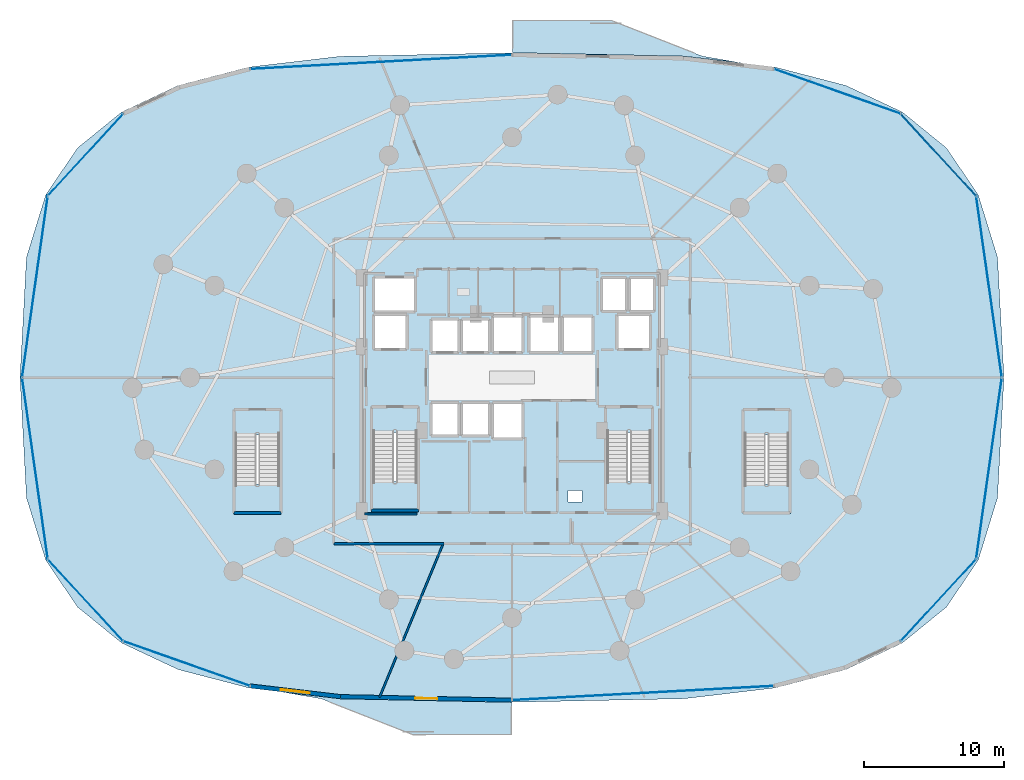
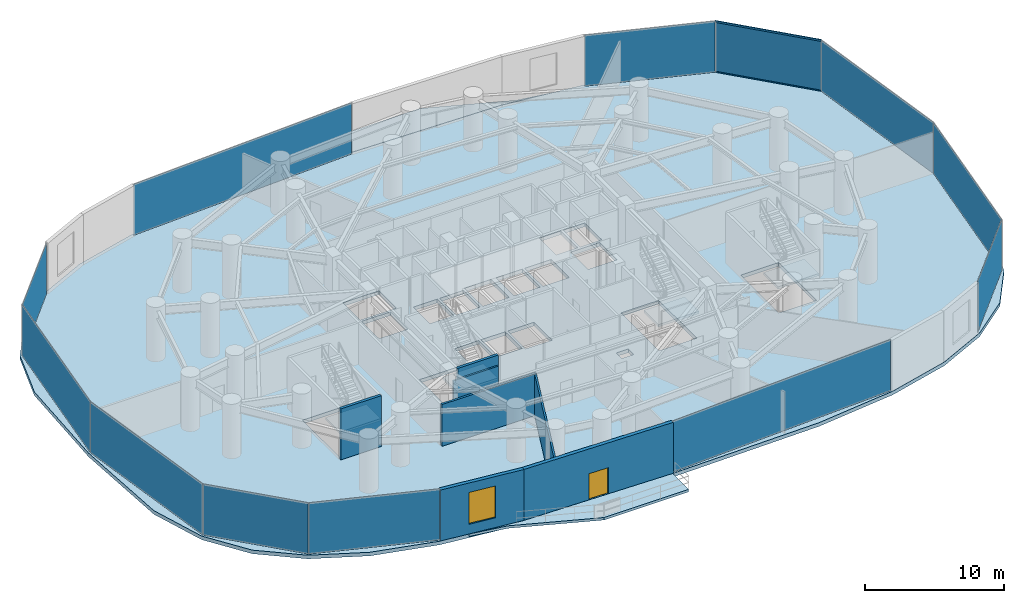
# One storey, part 23 of 30: 12 plates, 7 slabs, 7 walls, 2 members, 1 door, 1 window, 2 openings, 8 elements without a shape of their own.
"""IFC4 building model written with IfcOpenShell, lengths in metres."""

from ifc_helpers import new_model, si_unit, direction, frame, frame_2d, origin, origin_2d, place, context, subcontext, project, spatial, polyline, rectangle, hollow_rectangle, outline, extrude, material, layer, layer_set, material_profile, profile_set, type_object, element, fill, aggregate, save


model = new_model("IFC4")

# Units and contexts
model_context = context("Model", 3, precision=1e-05, world=origin(), true_north=direction((0.0, 1.0)))
body_context = subcontext(model_context, "Body", "Model", "MODEL_VIEW")
ifc_project = project(units=[si_unit("LENGTHUNIT", "METRE"), si_unit("AREAUNIT", "SQUARE_METRE"), si_unit("VOLUMEUNIT", "CUBIC_METRE"), si_unit("PLANEANGLEUNIT", "RADIAN"), si_unit("MASSUNIT", "GRAM", prefix="KILO")], contexts=[model_context])

# Site, building, storey
site_placement = place(None, origin())
site = spatial("IfcSite", under=ifc_project, at=site_placement, CompositionType="ELEMENT")
building_placement = place(site_placement, origin())
building = spatial("IfcBuilding", under=site, at=building_placement, Name="Vorneva Point Tower", CompositionType="ELEMENT")
storey_placement = place(building_placement, frame((0.0, 0.0, 9.60009765625)))
storey = spatial("IfcBuildingStorey", under=building, at=storey_placement, Name="L02", CompositionType="ELEMENT", Elevation=9.60009765625)

# Curtain wall, members, plates
ifc_material_1 = material(Name="Pale anodised aluminium", Category="aluminium")
curtain_wall_type = type_object("IfcCurtainWallType", Name="CW-POD-SYS", PredefinedType="NOTDEFINED", material=ifc_material_1)
curtain_wall_1_placement = place(storey_placement, origin())
curtain_wall_1 = element("IfcCurtainWall", 1, at=curtain_wall_1_placement, inside=storey, type_object=curtain_wall_type, Name="L02 Unitised Curtain Wall CW-L02-R01", PredefinedType="NOTDEFINED")
ifc_material_profile = material_profile(ifc_material_1, hollow_rectangle(XDim=0.074951171875, YDim=0.14990234375, WallThickness=0.00390625, at=origin_2d()), Name="AL-TRN 150x75x4")
ifc_profile_set = profile_set([ifc_material_profile], Name="Pale anodised aluminium")
member_type = type_object("IfcMemberType", Name="CW-TRN-150", PredefinedType="USERDEFINED", material=ifc_profile_set)
member_1_placement = place(storey_placement, frame((71.230712890625, 39.001708984375, 0.02001953125), z_axis=(-0.67696055084, 0.736019301789, 0.0), x_axis=(-0.736019301789, -0.67696055084, 0.0)))
member_1 = element("IfcMember", 2, at=member_1_placement, type_object=member_type, Name="CW-L02-R01 Transom 04.1", ObjectType="TRANSOM", PredefinedType="USERDEFINED", context=body_context, shape_type="SweptSolid", body=[
    extrude(hollow_rectangle(XDim=0.074951171875, YDim=0.14990234375, WallThickness=0.00390625, at=origin_2d()), origin(), (0.0, 0.0, 1.0), 7.99072265625),
])
member_2_placement = place(storey_placement, frame((71.230712890625, 39.001708984375, 4.4599609375), z_axis=(-0.67696055084, 0.736019301789, 0.0), x_axis=(-0.736019301789, -0.67696055084, 0.0)))
member_2 = element("IfcMember", 3, at=member_2_placement, type_object=member_type, Name="CW-L02-R01 Transom 04.2", ObjectType="TRANSOM", PredefinedType="USERDEFINED", context=body_context, shape_type="SweptSolid", body=[
    extrude(hollow_rectangle(XDim=0.074951171875, YDim=0.14990234375, WallThickness=0.00390625, at=origin_2d()), origin(), (0.0, 0.0, 1.0), 7.99072265625),
])
ifc_material_2 = material(Name="Double low-e laminated glass IGU", Category="glass")
ifc_layer_1 = layer(ifc_material_2, 0.035888671875)
ifc_layer_set_1 = layer_set([ifc_layer_1], Name="Double low-e laminated glass IGU")
plate_type = type_object("IfcPlateType", Name="CW-PNL-VIS", PredefinedType="CURTAIN_PANEL", material=ifc_layer_set_1)
plate_1_placement = place(storey_placement, frame((68.52587890625, 10.0576171875, -0.02001953125), z_axis=(0.0, 0.0, 1.0), x_axis=(0.676965895855, 0.736014385626, 0.0)))
plate_1 = element("IfcPlate", 4, at=plate_1_placement, type_object=plate_type, Name="CW-L02-R01 Glazed Panel 01", PredefinedType="CURTAIN_PANEL", context=body_context, shape_type="SweptSolid", body=[
    extrude(rectangle(XDim=7.94091796875, YDim=0.035888671875, at=origin_2d()), origin(), (0.0, 0.0, 1.0), 4.52001953125),
])
plate_2_placement = place(storey_placement, frame((72.1494140625, 19.499267578125, -0.02001953125), z_axis=(0.0, 0.0, 1.0), x_axis=(0.139950812678, 0.990158457031, 0.0)))
plate_2 = element("IfcPlate", 5, at=plate_2_placement, type_object=plate_type, Name="CW-L02-R01 Glazed Panel 02", PredefinedType="CURTAIN_PANEL", context=body_context, shape_type="SweptSolid", body=[
    extrude(rectangle(XDim=13.080810546875, YDim=0.035888671875, at=origin_2d()), origin(), (0.0, 0.0, 1.0), 4.52001953125),
])
plate_3_placement = place(storey_placement, frame((72.1494140625, 32.500732421875, -0.02001953125), z_axis=(0.0, 0.0, 1.0), x_axis=(-0.139950812678, 0.990158457031, 0.0)))
plate_3 = element("IfcPlate", 6, at=plate_3_placement, type_object=plate_type, Name="CW-L02-R01 Glazed Panel 03", PredefinedType="CURTAIN_PANEL", context=body_context, shape_type="SweptSolid", body=[
    extrude(rectangle(XDim=13.080810546875, YDim=0.035888671875, at=origin_2d()), origin(), (0.0, 0.0, 1.0), 4.52001953125),
])
plate_4_placement = place(storey_placement, frame((68.52587890625, 41.9423828125, -0.02001953125), z_axis=(0.0, 0.0, 1.0), x_axis=(-0.676965895855, 0.736014385626, 0.0)))
plate_4 = element("IfcPlate", 7, at=plate_4_placement, type_object=plate_type, Name="CW-L02-R01 Glazed Panel 04", PredefinedType="CURTAIN_PANEL", context=body_context, shape_type="SweptSolid", body=[
    extrude(rectangle(XDim=7.94091796875, YDim=0.035888671875, at=origin_2d()), origin(), (0.0, 0.0, 1.0), 4.52001953125),
])
plate_5_placement = place(storey_placement, frame((61.28759765625, 46.482177734375, -0.02001953125), z_axis=(0.0, 0.0, 1.0), x_axis=(-0.943060220773, 0.332622037749, 0.0)))
plate_5 = element("IfcPlate", 8, at=plate_5_placement, type_object=plate_type, Name="CW-L02-R01 Glazed Panel 05", PredefinedType="CURTAIN_PANEL", context=body_context, shape_type="SweptSolid", body=[
    extrude(rectangle(XDim=9.564697265625, YDim=0.035888671875, at=origin_2d()), origin(), (0.0, 0.0, 1.0), 4.52001953125),
])
aggregate(curtain_wall_1, [plate_1, plate_2, plate_3, member_1, member_2, plate_4, plate_5])

# Curtain wall, plate
curtain_wall_2_placement = place(storey_placement, origin())
curtain_wall_2 = element("IfcCurtainWall", 9, at=curtain_wall_2_placement, inside=storey, type_object=curtain_wall_type, Name="L02 Unitised Curtain Wall CW-L02-R02", PredefinedType="NOTDEFINED")
plate_6_placement = place(storey_placement, frame((28.623046875, 48.589599609375, -0.02001953125), z_axis=(0.0, 0.0, 1.0), x_axis=(-0.998531947257, -0.054165951542, 0.0)))
plate_6 = element("IfcPlate", 10, at=plate_6_placement, type_object=plate_type, Name="CW-L02-R02 Glazed Panel 01", PredefinedType="CURTAIN_PANEL", context=body_context, shape_type="SweptSolid", body=[
    extrude(rectangle(XDim=18.7314453125, YDim=0.035888671875, at=origin_2d()), origin(), (0.0, 0.0, 1.0), 4.52001953125),
])
aggregate(curtain_wall_2, [plate_6])

# Curtain wall, plates
curtain_wall_3_placement = place(storey_placement, origin())
curtain_wall_3 = element("IfcCurtainWall", 11, at=curtain_wall_3_placement, inside=storey, type_object=curtain_wall_type, Name="L02 Unitised Curtain Wall CW-L02-R03", PredefinedType="NOTDEFINED")
plate_7_placement = place(storey_placement, frame((7.47412109375, 41.9423828125, -0.02001953125), z_axis=(0.0, 0.0, 1.0), x_axis=(-0.676965895855, -0.736014385626, 0.0)))
plate_7 = element("IfcPlate", 12, at=plate_7_placement, type_object=plate_type, Name="CW-L02-R03 Glazed Panel 01", PredefinedType="CURTAIN_PANEL", context=body_context, shape_type="SweptSolid", body=[
    extrude(rectangle(XDim=7.94091796875, YDim=0.035888671875, at=origin_2d()), origin(), (0.0, 0.0, 1.0), 4.52001953125),
])
plate_8_placement = place(storey_placement, frame((3.8505859375, 32.500732421875, -0.02001953125), z_axis=(0.0, 0.0, 1.0), x_axis=(-0.139933531132, -0.990160899483, 0.0)))
plate_8 = element("IfcPlate", 13, at=plate_8_placement, type_object=plate_type, Name="CW-L02-R03 Glazed Panel 02", PredefinedType="CURTAIN_PANEL", context=body_context, shape_type="SweptSolid", body=[
    extrude(rectangle(XDim=13.080810546875, YDim=0.035888671875, at=origin_2d()), origin(), (0.0, 0.0, 1.0), 4.52001953125),
])
plate_9_placement = place(storey_placement, frame((3.8505859375, 19.499267578125, -0.02001953125), z_axis=(0.0, 0.0, 1.0), x_axis=(0.139933531132, -0.990160899483, 0.0)))
plate_9 = element("IfcPlate", 14, at=plate_9_placement, type_object=plate_type, Name="CW-L02-R03 Glazed Panel 03", PredefinedType="CURTAIN_PANEL", context=body_context, shape_type="SweptSolid", body=[
    extrude(rectangle(XDim=13.080810546875, YDim=0.035888671875, at=origin_2d()), origin(), (0.0, 0.0, 1.0), 4.52001953125),
])
plate_10_placement = place(storey_placement, frame((7.47412109375, 10.0576171875, -0.02001953125), z_axis=(0.0, 0.0, 1.0), x_axis=(0.676965895855, -0.736014385626, 0.0)))
plate_10 = element("IfcPlate", 15, at=plate_10_placement, type_object=plate_type, Name="CW-L02-R03 Glazed Panel 04", PredefinedType="CURTAIN_PANEL", context=body_context, shape_type="SweptSolid", body=[
    extrude(rectangle(XDim=7.94091796875, YDim=0.035888671875, at=origin_2d()), origin(), (0.0, 0.0, 1.0), 4.52001953125),
])
plate_11_placement = place(storey_placement, frame((14.71240234375, 5.517822265625, -0.02001953125), z_axis=(0.0, 0.0, 1.0), x_axis=(0.943060220773, -0.332622037749, 0.0)))
plate_11 = element("IfcPlate", 16, at=plate_11_placement, type_object=plate_type, Name="CW-L02-R03 Glazed Panel 05", PredefinedType="CURTAIN_PANEL", context=body_context, shape_type="SweptSolid", body=[
    extrude(rectangle(XDim=9.564697265625, YDim=0.035888671875, at=origin_2d()), origin(), (0.0, 0.0, 1.0), 4.52001953125),
])
aggregate(curtain_wall_3, [plate_7, plate_8, plate_9, plate_10, plate_11])

# Curtain wall, plate
curtain_wall_4_placement = place(storey_placement, origin())
curtain_wall_4 = element("IfcCurtainWall", 17, at=curtain_wall_4_placement, inside=storey, type_object=curtain_wall_type, Name="L02 Unitised Curtain Wall CW-L02-R04", PredefinedType="NOTDEFINED")
plate_12_placement = place(storey_placement, frame((47.376953125, 3.410400390625, -0.02001953125), z_axis=(0.0, 0.0, 1.0), x_axis=(0.998531947257, 0.054165951542, 0.0)))
plate_12 = element("IfcPlate", 18, at=plate_12_placement, type_object=plate_type, Name="CW-L02-R04 Glazed Panel 01", PredefinedType="CURTAIN_PANEL", context=body_context, shape_type="SweptSolid", body=[
    extrude(rectangle(XDim=18.7314453125, YDim=0.035888671875, at=origin_2d()), origin(), (0.0, 0.0, 1.0), 4.52001953125),
])
aggregate(curtain_wall_4, [plate_12])

# Slabs
ifc_material_3 = material(Name="Concrete B50 (C40/50)", Category="concrete")
ifc_layer_2 = layer(ifc_material_3, 0.219970703125)
ifc_layer_set_2 = layer_set([ifc_layer_2], Name="Concrete B50 (C40/50)")
slab_type_1 = type_object("IfcSlabType", Name="SLB-BAL-220", PredefinedType="FLOOR", material=ifc_layer_set_2)
slab_1_placement = place(storey_placement, frame((0.0, 0.0, -0.22021484375)))
element("IfcSlab", 19, at=slab_1_placement, inside=storey, type_object=slab_type_1, Name="L02 Cantilevered Wave Balcony NE", PredefinedType="FLOOR", context=body_context, shape_type="SweptSolid", body=[
    extrude(outline(polyline([(38.050048828125, 51.550048828125), (38.050048828125, 49.2490234375), (50.32177734375, 48.996337890625), (50.322021484375, 48.996337890625), (54.571533203125, 48.493896484375), (51.6181640625, 49.006591796875), (45.097412109375, 51.5693359375), (38.050048828125, 51.550048828125)])), origin(), (0.0, 0.0, 1.0), 0.22021484375),
])
slab_2_placement = place(storey_placement, frame((0.0, 0.0, -0.22021484375)))
element("IfcSlab", 20, at=slab_2_placement, inside=storey, type_object=slab_type_1, Name="L02 Cantilevered Wave Balcony SW", PredefinedType="FLOOR", context=body_context, shape_type="SweptSolid", body=[
    extrude(outline(polyline([(37.949951171875, 0.449951171875), (37.949951171875, 2.7509765625), (25.67822265625, 3.003662109375), (25.677978515625, 3.003662109375), (21.428466796875, 3.506103515625), (24.3818359375, 2.993408203125), (30.902587890625, 0.4306640625), (37.949951171875, 0.449951171875)])), origin(), (0.0, 0.0, 1.0), 0.22021484375),
])

# Stair, slab
stair_type = type_object("IfcStairType", Name="ST-DOG-1500", PredefinedType="HALF_TURN_STAIR", material=ifc_material_3)
stair_1_placement = place(storey_placement, origin())
stair_1 = element("IfcStair", 21, at=stair_1_placement, inside=storey, type_object=stair_type, Name="L02 ST1", PredefinedType="HALF_TURN_STAIR")
ifc_layer_3 = layer(ifc_material_3, 0.199951171875)
ifc_layer_set_3 = layer_set([ifc_layer_3], Name="Concrete B50 (C40/50)")
slab_type_2 = type_object("IfcSlabType", Name="SLB-LND-200", PredefinedType="LANDING", material=ifc_layer_set_3)
slab_3_placement = place(storey_placement, frame((0.0, 0.0, 2.199951171875)))
slab_3 = element("IfcSlab", 22, at=slab_3_placement, type_object=slab_type_2, Name="ST1 landing 1", PredefinedType="LANDING", context=body_context, shape_type="SweptSolid", body=[
    extrude(outline(polyline([(27.929931640625, 16.47998046875), (31.320068359375, 16.47998046875), (31.320068359375, 18.570068359375), (27.929931640625, 18.570068359375), (27.929931640625, 16.47998046875)])), origin(), (0.0, 0.0, 1.0), 0.199951171875),
])
aggregate(stair_1, [slab_3])

stair_2_placement = place(storey_placement, origin())
stair_2 = element("IfcStair", 23, at=stair_2_placement, inside=storey, type_object=stair_type, Name="L02 ST2", PredefinedType="HALF_TURN_STAIR")
slab_4_placement = place(storey_placement, frame((0.0, 0.0, 2.199951171875)))
slab_4 = element("IfcSlab", 24, at=slab_4_placement, type_object=slab_type_2, Name="ST2 landing 1", PredefinedType="LANDING", context=body_context, shape_type="SweptSolid", body=[
    extrude(outline(polyline([(44.679931640625, 16.47998046875), (48.070068359375, 16.47998046875), (48.070068359375, 18.570068359375), (44.679931640625, 18.570068359375), (44.679931640625, 16.47998046875)])), origin(), (0.0, 0.0, 1.0), 0.199951171875),
])
aggregate(stair_2, [slab_4])

stair_3_placement = place(storey_placement, origin())
stair_3 = element("IfcStair", 25, at=stair_3_placement, inside=storey, type_object=stair_type, Name="L02 ST3", PredefinedType="HALF_TURN_STAIR")
slab_5_placement = place(storey_placement, frame((0.0, 0.0, 2.199951171875)))
slab_5 = element("IfcSlab", 26, at=slab_5_placement, type_object=slab_type_2, Name="ST3 landing 1", PredefinedType="LANDING", context=body_context, shape_type="SweptSolid", body=[
    extrude(outline(polyline([(18.080078125, 16.280029296875), (21.469970703125, 16.280029296875), (21.469970703125, 18.3701171875), (18.080078125, 18.3701171875), (18.080078125, 16.280029296875)])), origin(), (0.0, 0.0, 1.0), 0.199951171875),
])
aggregate(stair_3, [slab_5])

stair_4_placement = place(storey_placement, origin())
stair_4 = element("IfcStair", 27, at=stair_4_placement, inside=storey, type_object=stair_type, Name="L02 ST4", PredefinedType="HALF_TURN_STAIR")
slab_6_placement = place(storey_placement, frame((0.0, 0.0, 2.199951171875)))
slab_6 = element("IfcSlab", 28, at=slab_6_placement, type_object=slab_type_2, Name="ST4 landing 1", PredefinedType="LANDING", context=body_context, shape_type="SweptSolid", body=[
    extrude(outline(polyline([(54.530029296875, 16.280029296875), (57.919921875, 16.280029296875), (57.919921875, 18.3701171875), (54.530029296875, 18.3701171875), (54.530029296875, 16.280029296875)])), origin(), (0.0, 0.0, 1.0), 0.199951171875),
])
aggregate(stair_4, [slab_6])

# Slab
ifc_layer_4 = layer(ifc_material_3, 0.320068359375)
ifc_layer_set_4 = layer_set([ifc_layer_4], Name="Concrete B50 (C40/50)")
slab_type_3 = type_object("IfcSlabType", Name="SLB-POD-320", PredefinedType="FLOOR", material=ifc_layer_set_4)
slab_7_placement = place(storey_placement, frame((0.0, 0.0, -0.320068359375)))
element("IfcSlab", 29, at=slab_7_placement, inside=storey, type_object=slab_type_3, Name="L02 Structural Floor Plate", PredefinedType="FLOOR", context=body_context, shape_type="SweptSolid", body=[
    extrude(outline(polyline([(73.220458984375, 26.0), (72.7568359375, 34.615478515625), (71.375, 39.0849609375), (69.09716796875, 42.4384765625), (65.94189453125, 45.00390625), (61.89404296875, 46.908203125), (56.835205078125, 48.222412109375), (50.321533203125, 48.992431640625), (38.0, 49.24609375), (25.678466796875, 48.992431640625), (19.164794921875, 48.222412109375), (14.10595703125, 46.908203125), (10.05810546875, 45.00390625), (6.90283203125, 42.4384765625), (4.625, 39.0849609375), (3.2431640625, 34.615478515625), (2.779541015625, 26.0), (3.2431640625, 17.384521484375), (4.625, 12.9150390625), (6.90283203125, 9.5615234375), (10.05810546875, 6.99609375), (14.10595703125, 5.091796875), (19.164794921875, 3.777587890625), (25.678466796875, 3.007568359375), (38.0, 2.75390625), (50.321533203125, 3.007568359375), (56.835205078125, 3.777587890625), (61.89404296875, 5.091796875), (65.94189453125, 6.99609375), (69.09716796875, 9.5615234375), (71.375, 12.9150390625), (72.7568359375, 17.384521484375), (73.220458984375, 26.0)]), holes=[polyline([(32.199951171875, 27.800048828125), (34.199951171875, 27.800048828125), (34.199951171875, 30.199951171875), (32.199951171875, 30.199951171875), (32.199951171875, 27.800048828125)]), polyline([(34.39990234375, 27.800048828125), (36.39990234375, 27.800048828125), (36.39990234375, 30.199951171875), (34.39990234375, 30.199951171875), (34.39990234375, 27.800048828125)]), polyline([(36.60009765625, 27.800048828125), (38.800048828125, 27.800048828125), (38.800048828125, 30.39990234375), (36.60009765625, 30.39990234375), (36.60009765625, 27.800048828125)]), polyline([(32.199951171875, 21.800048828125), (34.199951171875, 21.800048828125), (34.199951171875, 24.199951171875), (32.199951171875, 24.199951171875), (32.199951171875, 21.800048828125)]), polyline([(34.39990234375, 21.800048828125), (36.39990234375, 21.800048828125), (36.39990234375, 24.199951171875), (34.39990234375, 24.199951171875), (34.39990234375, 21.800048828125)]), polyline([(36.60009765625, 21.60009765625), (38.800048828125, 21.60009765625), (38.800048828125, 24.199951171875), (36.60009765625, 24.199951171875), (36.60009765625, 21.60009765625)]), polyline([(39.199951171875, 27.800048828125), (41.39990234375, 27.800048828125), (41.39990234375, 30.39990234375), (39.199951171875, 30.39990234375), (39.199951171875, 27.800048828125)]), polyline([(41.60009765625, 27.800048828125), (43.800048828125, 27.800048828125), (43.800048828125, 30.39990234375), (41.60009765625, 30.39990234375), (41.60009765625, 27.800048828125)]), polyline([(44.39990234375, 30.739990234375), (46.199951171875, 30.739990234375), (46.199951171875, 33.159912109375), (44.39990234375, 33.159912109375), (44.39990234375, 30.739990234375)]), polyline([(46.39990234375, 30.739990234375), (48.199951171875, 30.739990234375), (48.199951171875, 33.159912109375), (46.39990234375, 33.159912109375), (46.39990234375, 30.739990234375)]), polyline([(28.10009765625, 28.0), (30.5, 28.0), (30.5, 30.5), (28.10009765625, 30.5), (28.10009765625, 28.0)]), polyline([(45.5, 28.0), (47.89990234375, 28.0), (47.89990234375, 30.5), (45.5, 30.5), (45.5, 28.0)]), polyline([(28.10009765625, 30.699951171875), (31.10009765625, 30.699951171875), (31.10009765625, 33.199951171875), (28.10009765625, 33.199951171875), (28.10009765625, 30.699951171875)]), polyline([(28.050048828125, 16.60009765625), (31.199951171875, 16.60009765625), (31.199951171875, 22.080078125), (28.050048828125, 22.080078125), (28.050048828125, 16.60009765625)]), polyline([(44.800048828125, 16.60009765625), (47.949951171875, 16.60009765625), (47.949951171875, 22.080078125), (44.800048828125, 22.080078125), (44.800048828125, 16.60009765625)]), polyline([(18.199951171875, 16.39990234375), (21.35009765625, 16.39990234375), (21.35009765625, 21.8798828125), (18.199951171875, 21.8798828125), (18.199951171875, 16.39990234375)]), polyline([(54.64990234375, 16.39990234375), (57.800048828125, 16.39990234375), (57.800048828125, 21.8798828125), (54.64990234375, 21.8798828125), (54.64990234375, 16.39990234375)]), polyline([(42.0, 17.10009765625), (43.0, 17.10009765625), (43.0, 17.89990234375), (42.0, 17.89990234375), (42.0, 17.10009765625)])]), origin(), (0.0, 0.0, 1.0), 0.320068359375),
])

# Wall, opening, window
ifc_material_4 = material(Name="Precast concrete B50 (C40/50)", Category="concrete")
ifc_layer_5 = layer(ifc_material_4, 0.300048828125)
ifc_layer_set_5 = layer_set([ifc_layer_5], Name="Precast concrete B50 (C40/50)")
wall_type_1 = type_object("IfcWallType", Name="WL-EXT-300", PredefinedType="STANDARD", material=ifc_layer_set_5)
wall_1_placement = place(storey_placement, frame((19.24609375, 3.9189453125, 0.0), z_axis=(0.0, 0.0, 1.0), x_axis=(0.99311278541, -0.117162261226, 0.0)))
wall_1 = element("IfcWall", 30, at=wall_1_placement, inside=storey, type_object=wall_type_1, Name="L02 Pale-Metal Facade Spandrel Wall 12.1", PredefinedType="STANDARD", context=body_context, shape_type="SweptSolid", body=[
    extrude(rectangle(XDim=6.530517578125, YDim=0.300048828125, at=frame_2d((3.26513671875, 0.0))), origin(), (0.0, 0.0, 1.0), 4.47998046875),
])
opening_1_placement = place(wall_1_placement, frame((2.21533203125, 0.0, 0.85009765625)))
opening_1 = element("IfcOpeningElement", 31, at=opening_1_placement, cuts=wall_1, Name="Opening W-05", PredefinedType="OPENING", context=body_context, shape_type="SweptSolid", body=[
    extrude(rectangle(XDim=2.10009765625, YDim=2.800048828125, at=frame_2d((1.050048828125, 1.39990234375))), frame((0.0, 0.1650390625, 0.0), z_axis=(0.0, -1.0, 0.0), x_axis=(1.0, 0.0, 0.0)), (0.0, 0.0, 1.0), 0.329833984375),
])
window_type = type_object("IfcWindowType", Name="WN-POD-2100", PartitioningType="SINGLE_PANEL", PredefinedType="WINDOW", material=ifc_material_2)
window_placement = place(opening_1_placement, origin())
window = element("IfcWindow", 32, at=window_placement, inside=storey, type_object=window_type, Name="L02 Facade Window 12", OverallHeight=2.800048828125, OverallWidth=2.10009765625, PartitioningType="SINGLE_PANEL", PredefinedType="WINDOW", context=body_context, shape_type="SweptSolid", body=[
    extrude(rectangle(XDim=2.10009765625, YDim=2.800048828125, at=frame_2d((1.050048828125, 1.39990234375))), frame((0.0, 0.030029296875, 0.0), z_axis=(0.0, -1.0, 0.0), x_axis=(1.0, 0.0, 0.0)), (0.0, 0.0, 1.0), 0.06005859375),
])
fill(opening_1, window)

# Wall, opening, door
wall_2_placement = place(storey_placement, frame((25.731689453125, 3.15380859375, 0.0), z_axis=(0.0, 0.0, 1.0), x_axis=(0.99978877583, -0.020552462746, 0.0)))
wall_2 = element("IfcWall", 33, at=wall_2_placement, inside=storey, type_object=wall_type_1, Name="L02 Pale-Metal Facade Spandrel Wall 12.2", PredefinedType="STANDARD", context=body_context, shape_type="SweptSolid", body=[
    extrude(rectangle(XDim=12.27099609375, YDim=0.300048828125, at=frame_2d((6.135498046875, 0.0))), origin(), (0.0, 0.0, 1.0), 4.47998046875),
])
opening_2_placement = place(wall_2_placement, frame((5.33544921875, 0.0, 0.0)))
opening_2 = element("IfcOpeningElement", 34, at=opening_2_placement, cuts=wall_2, Name="Opening BD-01", PredefinedType="OPENING", context=body_context, shape_type="SweptSolid", body=[
    extrude(rectangle(XDim=1.60009765625, YDim=2.300048828125, at=frame_2d((0.800048828125, 1.14990234375))), frame((0.0, 0.1650390625, 0.0), z_axis=(0.0, -1.0, 0.0), x_axis=(1.0, 0.0, 0.0)), (0.0, 0.0, 1.0), 0.329833984375),
])
door_type = type_object("IfcDoorType", Name="DR-BAL-1600", OperationType="SLIDING_TO_LEFT", PredefinedType="DOOR", material=ifc_material_1)
door_placement = place(opening_2_placement, origin())
door = element("IfcDoor", 35, at=door_placement, inside=storey, type_object=door_type, Name="L02 Balcony Terrace Access Door 12", OperationType="SLIDING_TO_LEFT", OverallHeight=2.300048828125, OverallWidth=1.60009765625, PredefinedType="DOOR", context=body_context, shape_type="SweptSolid", body=[
    extrude(rectangle(XDim=1.60009765625, YDim=2.300048828125, at=frame_2d((0.800048828125, 1.14990234375))), frame((0.0, 0.02490234375, 0.0), z_axis=(0.0, -1.0, 0.0), x_axis=(1.0, 0.0, 0.0)), (0.0, 0.0, 1.0), 0.050048828125),
])
fill(opening_2, door)

# Walls
ifc_material_5 = material(Name="Fire-rated acoustic gypsum stud partition", Category="gypsum")
ifc_layer_6 = layer(ifc_material_5, 0.139892578125)
ifc_layer_set_6 = layer_set([ifc_layer_6], Name="Fire-rated acoustic gypsum stud partition")
wall_type_2 = type_object("IfcWallType", Name="WL-PART-140", PredefinedType="PARTITIONING", material=ifc_layer_set_6)
wall_3_placement = place(storey_placement, frame((28.513916015625, 3.09912109375, 0.0), z_axis=(0.0, 0.0, 1.0), x_axis=(0.38271032831, 0.923868391388, 0.0)))
element("IfcWall", 36, at=wall_3_placement, inside=storey, type_object=wall_type_2, Name="L02 Interior Partition 046", PredefinedType="PARTITIONING", context=body_context, shape_type="SweptSolid", body=[
    extrude(rectangle(XDim=11.907470703125, YDim=0.139892578125, at=frame_2d((5.95361328125, 0.0))), origin(), (0.0, 0.0, 1.0), 3.671875),
])
wall_4_placement = place(storey_placement, frame((31.195068359375, 16.239990234375, 0.0), z_axis=(0.0, 0.0, 1.0), x_axis=(-1.0, 0.0, 0.0)))
element("IfcWall", 37, at=wall_4_placement, inside=storey, type_object=wall_type_2, Name="L02 Interior Closure Partition 064", PredefinedType="PARTITIONING", context=body_context, shape_type="SweptSolid", body=[
    extrude(rectangle(XDim=3.7451171875, YDim=0.139892578125, at=frame_2d((1.87255859375, 0.0))), origin(), (0.0, 0.0, 1.0), 3.671875),
])
ifc_material_6 = material(Name="Autoclaved aerated concrete blockwork", Category="masonry")
ifc_layer_7 = layer(ifc_material_6, 0.179931640625)
ifc_layer_set_7 = layer_set([ifc_layer_7], Name="Autoclaved aerated concrete blockwork")
wall_type_3 = type_object("IfcWallType", Name="WL-PART-180", PredefinedType="PARTITIONING", material=ifc_layer_set_7)
wall_5_placement = place(storey_placement, frame((25.25, 14.10009765625, 0.0), z_axis=(0.0, 0.0, 1.0), x_axis=(1.0, 0.0, 0.0)))
element("IfcWall", 38, at=wall_5_placement, inside=storey, type_object=wall_type_3, Name="L02 Interior Partition 032", PredefinedType="PARTITIONING", context=body_context, shape_type="SweptSolid", body=[
    extrude(rectangle(XDim=7.881103515625, YDim=0.179931640625, at=frame_2d((3.9404296875, 0.0))), origin(), (0.0, 0.0, 1.0), 3.671875),
])
ifc_layer_8 = layer(ifc_material_3, 0.219970703125)
ifc_layer_set_8 = layer_set([ifc_layer_8], Name="Concrete B50 (C40/50)")
wall_type_4 = type_object("IfcWallType", Name="WL-SHFT-220", PredefinedType="SOLIDWALL", material=ifc_layer_set_8)
wall_6_placement = place(storey_placement, frame((31.31005859375, 16.489990234375, 0.0), z_axis=(0.0, 0.0, 1.0), x_axis=(-1.0, 0.0, 0.0)))
element("IfcWall", 39, at=wall_6_placement, inside=storey, type_object=wall_type_4, Name="L02 Exit Stair ST1 Shaft Wall far", PredefinedType="SOLIDWALL", context=body_context, shape_type="SweptSolid", body=[
    extrude(rectangle(XDim=3.3701171875, YDim=0.219970703125, at=frame_2d((1.68505859375, 0.0))), origin(), (0.0, 0.0, 1.0), 4.47998046875),
])
wall_7_placement = place(storey_placement, frame((21.4599609375, 16.2900390625, 0.0), z_axis=(0.0, 0.0, 1.0), x_axis=(-1.0, 0.0, 0.0)))
element("IfcWall", 40, at=wall_7_placement, inside=storey, type_object=wall_type_4, Name="L02 Exit Stair ST3 Shaft Wall far", PredefinedType="SOLIDWALL", context=body_context, shape_type="SweptSolid", body=[
    extrude(rectangle(XDim=3.369873046875, YDim=0.219970703125, at=frame_2d((1.68505859375, 0.0))), origin(), (0.0, 0.0, 1.0), 4.47998046875),
])

save(model, "model.ifc")
